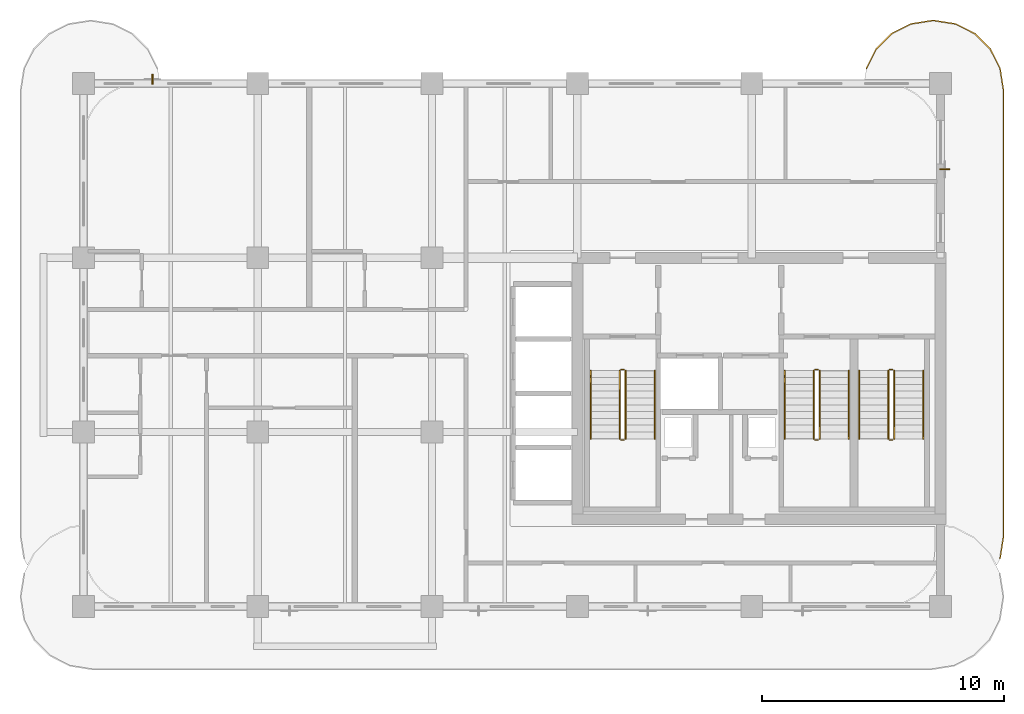
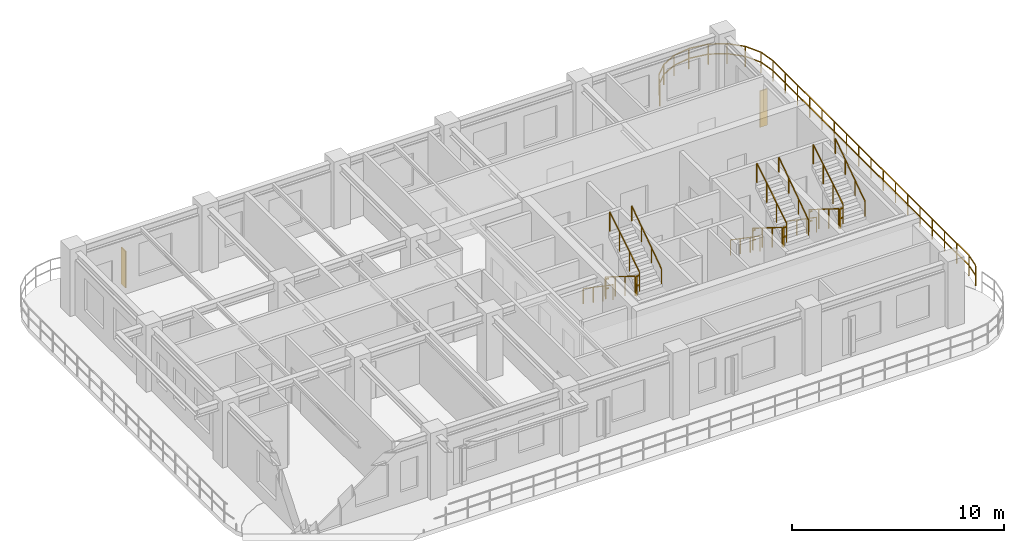
# One storey, part 7 of 7: 19 railings, 2 shading devices.
"""IFC4 building model written with IfcOpenShell, lengths in metres."""

import ifcopenshell
import ifcopenshell.guid

model = None  # the IFC model being written
_history = None  # IfcOwnerHistory: only IFC2X3 demands one
_inside = {}  # id of a spatial element -> (the spatial element, [elements in it])
_under = {}  # id of a project, library or spatial element -> (it, [spatial elements below it])
_declared = {}  # id of a project -> (the project, [libraries it declares])
_typed = {}  # id of a type object -> (the type object, [elements of that type])
_made_of = {}  # id of a material, layer set ... -> (it, [elements and type objects made of it])


def new_model(schema):
    """Start an empty IFC model of exactly this schema.

    Asked for "IFC4X3", IfcOpenShell would pick the latest addendum, in which some entities
    have other attributes; the version numbers below select the first issue.
    IFC2X3 requires an IfcOwnerHistory on every rooted entity: one is made here for all.
    """
    global model, _history
    if schema == "IFC4X3":
        model = ifcopenshell.file(schema_version=(4, 3, 0, 0))
    else:
        model = ifcopenshell.file(schema=schema)
    _inside.clear()
    _under.clear()
    _declared.clear()
    _typed.clear()
    _made_of.clear()
    _history = None
    if model.schema == "IFC2X3":
        org = make("IfcOrganization", Name="unknown")
        user = make(
            "IfcPersonAndOrganization",
            ThePerson=make("IfcPerson", FamilyName="unknown"),
            TheOrganization=org,
        )
        app = make(
            "IfcApplication",
            ApplicationDeveloper=org,
            Version="unknown",
            ApplicationFullName="unknown",
            ApplicationIdentifier="unknown",
        )
        _history = make(
            "IfcOwnerHistory",
            OwningUser=user,
            OwningApplication=app,
            ChangeAction="ADDED",
            CreationDate=0,
        )
    return model


def make(cls, **values):
    """One entity of the class cls with the attributes given. An attribute that is None is left unset."""
    return model.create_entity(
        cls, **{name: value for name, value in values.items() if value is not None}
    )


def rooted(cls, **values):
    """An entity with a GlobalId (a new one), such as an element, a storey or a relation."""
    return make(cls, GlobalId=ifcopenshell.guid.new(), OwnerHistory=_history, **values)


def si_unit(unit_type, name, prefix=None):
    """IfcSIUnit, for example si_unit("LENGTHUNIT", "METRE", prefix="MILLI")."""
    return make("IfcSIUnit", UnitType=unit_type, Prefix=prefix, Name=name)


def derived_unit(unit_type, elements):
    """IfcDerivedUnit: a product of units, each with its exponent."""
    return make(
        "IfcDerivedUnit",
        Elements=[
            make("IfcDerivedUnitElement", Unit=unit, Exponent=power)
            for unit, power in elements
        ],
        UnitType=unit_type,
    )


def assignment(units):
    """IfcUnitAssignment: the units of a project."""
    return None if units is None else make("IfcUnitAssignment", Units=units)


def point(xyz):
    """IfcCartesianPoint."""
    return None if xyz is None else make("IfcCartesianPoint", Coordinates=xyz)


def direction(xyz):
    """IfcDirection."""
    return None if xyz is None else make("IfcDirection", DirectionRatios=xyz)


def frame(location, z_axis=None, x_axis=None):
    """IfcAxis2Placement3D, a coordinate frame: its origin and axes. An axis left out is left unset."""
    return make(
        "IfcAxis2Placement3D",
        Location=point(location),
        Axis=direction(z_axis),
        RefDirection=direction(x_axis),
    )


def frame_2d(location, x_axis=None):
    """IfcAxis2Placement2D, a coordinate frame in the plane: its origin and x axis."""
    return make(
        "IfcAxis2Placement2D", Location=point(location), RefDirection=direction(x_axis)
    )


def origin():
    """The frame at (0, 0, 0) with its axes left unset."""
    return frame((0.0, 0.0, 0.0))


def origin_2d():
    """The frame at (0, 0) in the plane with its x axis left unset."""
    return frame_2d((0.0, 0.0))


def place(relative_to, where):
    """IfcLocalPlacement: puts the frame where relative to a parent placement (None: the world)."""
    return make(
        "IfcLocalPlacement", PlacementRelTo=relative_to, RelativePlacement=where
    )


def context(
    kind, dimensions, precision=None, world=None, true_north=None, identifier=None
):
    """IfcGeometricRepresentationContext, for example the 3D "Model" context."""
    return make(
        "IfcGeometricRepresentationContext",
        ContextIdentifier=identifier,
        ContextType=kind,
        CoordinateSpaceDimension=dimensions,
        Precision=precision,
        WorldCoordinateSystem=world,
        TrueNorth=true_north,
    )


def subcontext(parent, identifier, kind, view, scale=None):
    """IfcGeometricRepresentationSubContext, for example "Body" below "Model"."""
    return make(
        "IfcGeometricRepresentationSubContext",
        ContextIdentifier=identifier,
        ContextType=kind,
        ParentContext=parent,
        TargetScale=scale,
        TargetView=view,
    )


def project(units=None, contexts=None):
    """IfcProject with its units and contexts."""
    return rooted(
        "IfcProject",
        Name="project",
        RepresentationContexts=contexts,
        UnitsInContext=assignment(units),
    )


def spatial(cls, under=None, at=None, **own):
    """A site, building, storey or space (cls), placed at a placement, below another one or the project."""
    s = rooted(cls, ObjectPlacement=at, **own)
    if under is not None:
        _under.setdefault(under.id(), (under, []))[1].append(s)
    return s


def profile(cls, at=None, kind="AREA", **sizes):
    """A parametric profile (cls). Its sizes go by their IFC names, for example OverallWidth=200.0."""
    return make(cls, ProfileType=kind, Position=at, **sizes)


def rectangle(**sizes):
    """IfcRectangleProfileDef."""
    return profile("IfcRectangleProfileDef", **sizes)


def extrude(swept, where, along, depth):
    """IfcExtrudedAreaSolid: the profile swept, set in the frame where, extruded along a direction by depth."""
    return make(
        "IfcExtrudedAreaSolid",
        SweptArea=swept,
        Position=where,
        ExtrudedDirection=direction(along),
        Depth=depth,
    )


def shape(context_of_items, identifier, shape_type, items):
    """IfcShapeRepresentation: the items that make up one representation, for example the "Body"."""
    return make(
        "IfcShapeRepresentation",
        ContextOfItems=context_of_items,
        RepresentationIdentifier=identifier,
        RepresentationType=shape_type,
        Items=items,
    )


def source(mapping_origin, context_of_items, identifier, shape_type, items):
    """IfcRepresentationMap: a shape defined once, which mapped items show again and again."""
    return make(
        "IfcRepresentationMap",
        MappingOrigin=mapping_origin,
        MappedRepresentation=shape(context_of_items, identifier, shape_type, items),
    )


def transform(
    local_origin,
    x_axis=None,
    y_axis=None,
    z_axis=None,
    scale=None,
    scale2=None,
    scale3=None,
    uniform=True,
):
    """IfcCartesianTransformationOperator3D, or its non-uniform kind. x_axis, y_axis, z_axis: its Axis1, 2, 3."""
    if uniform:
        return make(
            "IfcCartesianTransformationOperator3D",
            Axis1=direction(x_axis),
            Axis2=direction(y_axis),
            LocalOrigin=point(local_origin),
            Scale=scale,
            Axis3=direction(z_axis),
        )
    return make(
        "IfcCartesianTransformationOperator3DnonUniform",
        Axis1=direction(x_axis),
        Axis2=direction(y_axis),
        LocalOrigin=point(local_origin),
        Scale=scale,
        Axis3=direction(z_axis),
        Scale2=scale2,
        Scale3=scale3,
    )


def mapped(mapping_source, mapping_target):
    """IfcMappedItem: shows the shape of a source again, moved by a transform."""
    return make(
        "IfcMappedItem", MappingSource=mapping_source, MappingTarget=mapping_target
    )


def material(Name=None, Category=None):
    """IfcMaterial."""
    return make("IfcMaterial", Name=Name, Category=Category)


def layer(
    of_material, thickness, ventilated=None, Name=None, Category=None, Priority=None
):
    """IfcMaterialLayer: one layer of a wall or slab, of a material (None: an air gap)."""
    return make(
        "IfcMaterialLayer",
        Material=of_material,
        LayerThickness=thickness,
        IsVentilated=ventilated,
        Name=Name,
        Category=Category,
        Priority=Priority,
    )


def layer_set(layers, Name=None):
    """IfcMaterialLayerSet."""
    return make("IfcMaterialLayerSet", MaterialLayers=layers, LayerSetName=Name)


def made_of(thing, what):
    """Note that an element or type object is made of a material, layer set ...; save() writes the relation."""
    if what is not None:
        _made_of.setdefault(what.id(), (what, []))[1].append(thing)
    return thing


def type_object(cls, material=None, **own):
    """A type object (cls), such as IfcWallType, which elements share."""
    return made_of(rooted(cls, **own), material)


def type_shapes(of_type, sources):
    """Give a type object the sources (RepresentationMaps) that its elements show as mapped items."""
    of_type.RepresentationMaps = sources


def element(
    cls,
    number,
    at=None,
    inside=None,
    cuts=None,
    type_object=None,
    material=None,
    context=None,
    identifier="Body",
    shape_type=None,
    held_by="IfcProductDefinitionShape",
    body=None,
    shapes=None,
    **own,
):
    """One element of the class cls, such as IfcWall. Its Tag is "e" and its number.

    at: its placement. inside: the storey or other place that contains it. cuts: it is an
    opening in that element (IfcRelVoidsElement). A single representation is given by context,
    identifier, shape_type and body (its items); several are given by shapes. held_by: the class
    of the entity that holds the representations. save() writes the other relations.
    """
    e = rooted(cls, Tag="e%d" % number, ObjectPlacement=at, **own)
    if body is not None:
        shapes = [shape(context, identifier, shape_type, body)]
    if shapes is not None:
        e.Representation = make(held_by, Representations=shapes)
    if inside is not None:
        _inside.setdefault(inside.id(), (inside, []))[1].append(e)
    if cuts is not None:
        rooted(
            "IfcRelVoidsElement", RelatingBuildingElement=cuts, RelatedOpeningElement=e
        )
    if type_object is not None:
        _typed.setdefault(type_object.id(), (type_object, []))[1].append(e)
    return made_of(e, material)


def aggregate(whole, parts):
    """IfcRelAggregates: a whole, such as a stair, and the parts it consists of."""
    return rooted("IfcRelAggregates", RelatingObject=whole, RelatedObjects=parts)


def save(model, path):
    """Write the relations noted so far, then the file.

    IfcRelAggregates (storeys below a building ...), IfcRelContainedInSpatialStructure (elements
    in a storey), IfcRelDefinesByType, IfcRelAssociatesMaterial and IfcRelDeclares: one each for
    every whole, place, type object, material and project.
    """
    for whole, parts in _under.values():
        aggregate(whole, parts)
    for where, things in _inside.values():
        rooted(
            "IfcRelContainedInSpatialStructure",
            RelatedElements=things,
            RelatingStructure=where,
        )
    for kind, things in _typed.values():
        rooted("IfcRelDefinesByType", RelatedObjects=things, RelatingType=kind)
    for what, things in _made_of.values():
        rooted("IfcRelAssociatesMaterial", RelatedObjects=things, RelatingMaterial=what)
    for by, libraries in _declared.values():
        rooted("IfcRelDeclares", RelatingContext=by, RelatedDefinitions=libraries)
    model.write(path)


model = new_model("IFC4")

# Units and contexts
model_context = context("Model", 3, precision=1e-05, world=origin(), true_north=direction((0.0, 1.0)))
body_context = subcontext(model_context, "Body", "Model", "MODEL_VIEW")
ifc_project = project(units=[si_unit("LENGTHUNIT", "METRE"), si_unit("AREAUNIT", "SQUARE_METRE"), si_unit("VOLUMEUNIT", "CUBIC_METRE"), si_unit("PLANEANGLEUNIT", "RADIAN"), si_unit("MASSUNIT", "GRAM", prefix="KILO"), si_unit("THERMODYNAMICTEMPERATUREUNIT", "KELVIN"), si_unit("POWERUNIT", "WATT"), derived_unit("THERMALTRANSMITTANCEUNIT", [(si_unit("POWERUNIT", "WATT"), 1), (si_unit("AREAUNIT", "SQUARE_METRE"), -1), (si_unit("THERMODYNAMICTEMPERATUREUNIT", "KELVIN"), -1)])], contexts=[model_context])

# Site, building, storey
site_placement = place(None, origin())
site = spatial("IfcSite", under=ifc_project, at=site_placement, CompositionType="ELEMENT")
building_placement = place(site_placement, origin())
building = spatial("IfcBuilding", under=site, at=building_placement, Name="Zahravan Archway Hotel and Residences", CompositionType="ELEMENT")
storey_placement = place(building_placement, frame((0.0, 0.0, 240.39990234375)))
storey = spatial("IfcBuildingStorey", under=building, at=storey_placement, Name="L60", CompositionType="ELEMENT", Elevation=240.39990234375)

# Railings
ifc_material_1 = material(Name="Bronze & Laminated Glass Balustrade", Category="glass")
railing_type_1 = type_object("IfcRailingType", Name="RL-BAL-1200", PredefinedType="BALUSTRADE", material=ifc_material_1)
railing_1_placement = place(storey_placement, frame((46.739501953125, 22.230712890625, 0.0)))
element("IfcRailing", 1, at=railing_1_placement, inside=storey, type_object=railing_type_1, Name="L60 Balustrade RL-SLB-BAL-L60-EA-1", PredefinedType="BALUSTRADE", context=body_context, shape_type="SweptSolid", body=[
    extrude(rectangle(XDim=0.048095703125, YDim=0.048095703125, at=origin_2d()), frame((0.0, 0.0, 1.17578125), z_axis=(0.453991409995, 0.891006060389, 0.0), x_axis=(-0.891006060389, 0.453991409995, 0.0)), (0.0, 0.0, 1.0), 0.8916015625),
    extrude(rectangle(XDim=0.048095703125, YDim=0.048095703125, at=origin_2d()), frame((0.0, 0.0, 0.60009765625), z_axis=(0.453991409995, 0.891006060389, 0.0), x_axis=(-0.891006060389, 0.453991409995, 0.0)), (0.0, 0.0, 1.0), 0.8916015625),
    extrude(rectangle(XDim=0.048095703125, YDim=0.048095703125, at=origin_2d()), frame((0.40478515625, 0.79443359375, 1.17578125), z_axis=(0.707106781187, 0.707106781187, 0.0), x_axis=(-0.707106781187, 0.707106781187, 0.0)), (0.0, 0.0, 1.0), 0.891845703125),
    extrude(rectangle(XDim=0.048095703125, YDim=0.048095703125, at=origin_2d()), frame((0.40478515625, 0.79443359375, 0.60009765625), z_axis=(0.707106781187, 0.707106781187, 0.0), x_axis=(-0.707106781187, 0.707106781187, 0.0)), (0.0, 0.0, 1.0), 0.891845703125),
    extrude(rectangle(XDim=0.048095703125, YDim=0.048095703125, at=origin_2d()), frame((1.035400390625, 1.425048828125, 1.17578125), z_axis=(0.891006060389, 0.453991409995, 0.0), x_axis=(-0.453991409995, 0.891006060389, 0.0)), (0.0, 0.0, 1.0), 0.8916015625),
    extrude(rectangle(XDim=0.048095703125, YDim=0.048095703125, at=origin_2d()), frame((1.035400390625, 1.425048828125, 0.60009765625), z_axis=(0.891006060389, 0.453991409995, 0.0), x_axis=(-0.453991409995, 0.891006060389, 0.0)), (0.0, 0.0, 1.0), 0.8916015625),
    extrude(rectangle(XDim=0.048095703125, YDim=0.048095703125, at=origin_2d()), frame((1.829833984375, 1.829833984375, 1.17578125), z_axis=(0.987700720307, 0.156356282588, 0.0), x_axis=(-0.156356282588, 0.987700720307, 0.0)), (0.0, 0.0, 1.0), 0.8916015625),
    extrude(rectangle(XDim=0.048095703125, YDim=0.048095703125, at=origin_2d()), frame((1.829833984375, 1.829833984375, 0.60009765625), z_axis=(0.987700720307, 0.156356282588, 0.0), x_axis=(-0.156356282588, 0.987700720307, 0.0)), (0.0, 0.0, 1.0), 0.8916015625),
    extrude(rectangle(XDim=0.048095703125, YDim=0.048095703125, at=origin_2d()), frame((2.71044921875, 1.96923828125, 1.17578125), z_axis=(1.0, 0.0, 0.0), x_axis=(0.0, 1.0, 0.0)), (0.0, 0.0, 1.0), 0.10009765625),
    extrude(rectangle(XDim=0.048095703125, YDim=0.048095703125, at=origin_2d()), frame((2.71044921875, 1.96923828125, 0.60009765625), z_axis=(1.0, 0.0, 0.0), x_axis=(0.0, 1.0, 0.0)), (0.0, 0.0, 1.0), 0.10009765625),
    extrude(rectangle(XDim=0.048095703125, YDim=0.048095703125, at=origin_2d()), frame((2.810546875, 1.96923828125, 1.17578125), z_axis=(0.987700720307, -0.156356282588, 0.0), x_axis=(0.156356282588, 0.987700720307, 0.0)), (0.0, 0.0, 1.0), 0.8916015625),
    extrude(rectangle(XDim=0.048095703125, YDim=0.048095703125, at=origin_2d()), frame((2.810546875, 1.96923828125, 0.60009765625), z_axis=(0.987700720307, -0.156356282588, 0.0), x_axis=(0.156356282588, 0.987700720307, 0.0)), (0.0, 0.0, 1.0), 0.8916015625),
    extrude(rectangle(XDim=0.048095703125, YDim=0.048095703125, at=origin_2d()), frame((3.691162109375, 1.829833984375, 1.17578125), z_axis=(0.891006060389, -0.453991409995, 0.0), x_axis=(0.453991409995, 0.891006060389, 0.0)), (0.0, 0.0, 1.0), 0.8916015625),
    extrude(rectangle(XDim=0.048095703125, YDim=0.048095703125, at=origin_2d()), frame((3.691162109375, 1.829833984375, 0.60009765625), z_axis=(0.891006060389, -0.453991409995, 0.0), x_axis=(0.453991409995, 0.891006060389, 0.0)), (0.0, 0.0, 1.0), 0.8916015625),
    extrude(rectangle(XDim=0.048095703125, YDim=0.048095703125, at=origin_2d()), frame((4.485595703125, 1.425048828125, 1.17578125), z_axis=(0.707106781187, -0.707106781187, 0.0), x_axis=(0.707106781187, 0.707106781187, 0.0)), (0.0, 0.0, 1.0), 0.891845703125),
    extrude(rectangle(XDim=0.048095703125, YDim=0.048095703125, at=origin_2d()), frame((4.485595703125, 1.425048828125, 0.60009765625), z_axis=(0.707106781187, -0.707106781187, 0.0), x_axis=(0.707106781187, 0.707106781187, 0.0)), (0.0, 0.0, 1.0), 0.891845703125),
    extrude(rectangle(XDim=0.048095703125, YDim=0.048095703125, at=origin_2d()), frame((5.1162109375, 0.79443359375, 1.17578125), z_axis=(0.453991409995, -0.891006060389, 0.0), x_axis=(0.891006060389, 0.453991409995, 0.0)), (0.0, 0.0, 1.0), 0.8916015625),
    extrude(rectangle(XDim=0.048095703125, YDim=0.048095703125, at=origin_2d()), frame((5.1162109375, 0.79443359375, 0.60009765625), z_axis=(0.453991409995, -0.891006060389, 0.0), x_axis=(0.891006060389, 0.453991409995, 0.0)), (0.0, 0.0, 1.0), 0.8916015625),
    extrude(rectangle(XDim=0.048095703125, YDim=0.048095703125, at=origin_2d()), frame((5.52099609375, 0.0, 1.17578125), z_axis=(0.156356282588, -0.987700720307, 0.0), x_axis=(0.987700720307, 0.156356282588, 0.0)), (0.0, 0.0, 1.0), 0.8916015625),
    extrude(rectangle(XDim=0.048095703125, YDim=0.048095703125, at=origin_2d()), frame((5.52099609375, 0.0, 0.60009765625), z_axis=(0.156356282588, -0.987700720307, 0.0), x_axis=(0.987700720307, 0.156356282588, 0.0)), (0.0, 0.0, 1.0), 0.8916015625),
    extrude(rectangle(XDim=0.048095703125, YDim=0.048095703125, at=origin_2d()), frame((5.660400390625, -0.880615234375, 1.17578125), z_axis=(0.0, -1.0, 0.0), x_axis=(1.0, 0.0, 0.0)), (0.0, 0.0, 1.0), 18.5),
    extrude(rectangle(XDim=0.048095703125, YDim=0.048095703125, at=origin_2d()), frame((5.660400390625, -0.880615234375, 0.60009765625), z_axis=(0.0, -1.0, 0.0), x_axis=(1.0, 0.0, 0.0)), (0.0, 0.0, 1.0), 18.5),
    extrude(rectangle(XDim=0.048095703125, YDim=0.048095703125, at=origin_2d()), frame((5.660400390625, -19.380615234375, 1.17578125), z_axis=(-0.156314005608, -0.987707411965, 0.0), x_axis=(0.987707411965, -0.156314005608, 0.0)), (0.0, 0.0, 1.0), 0.891845703125),
    extrude(rectangle(XDim=0.048095703125, YDim=0.048095703125, at=origin_2d()), frame((5.660400390625, -19.380615234375, 0.60009765625), z_axis=(-0.156314005608, -0.987707411965, 0.0), x_axis=(0.987707411965, -0.156314005608, 0.0)), (0.0, 0.0, 1.0), 0.891845703125),
    extrude(rectangle(XDim=0.0419921875, YDim=0.0419921875, at=origin_2d()), origin(), (0.0, 0.0, 1.0), 1.15185546875),
    extrude(rectangle(XDim=0.0419921875, YDim=0.0419921875, at=origin_2d()), frame((0.40478515625, 0.79443359375, 0.0)), (0.0, 0.0, 1.0), 1.15185546875),
    extrude(rectangle(XDim=0.0419921875, YDim=0.0419921875, at=origin_2d()), frame((1.035400390625, 1.425048828125, 0.0)), (0.0, 0.0, 1.0), 1.15185546875),
    extrude(rectangle(XDim=0.0419921875, YDim=0.0419921875, at=origin_2d()), frame((1.829833984375, 1.829833984375, 0.0)), (0.0, 0.0, 1.0), 1.15185546875),
    extrude(rectangle(XDim=0.0419921875, YDim=0.0419921875, at=origin_2d()), frame((2.71044921875, 1.96923828125, 0.0)), (0.0, 0.0, 1.0), 1.15185546875),
    extrude(rectangle(XDim=0.0419921875, YDim=0.0419921875, at=origin_2d()), frame((3.691162109375, 1.829833984375, 0.0)), (0.0, 0.0, 1.0), 1.15185546875),
    extrude(rectangle(XDim=0.0419921875, YDim=0.0419921875, at=origin_2d()), frame((4.485595703125, 1.425048828125, 0.0)), (0.0, 0.0, 1.0), 1.15185546875),
    extrude(rectangle(XDim=0.0419921875, YDim=0.0419921875, at=origin_2d()), frame((5.1162109375, 0.79443359375, 0.0)), (0.0, 0.0, 1.0), 1.15185546875),
    extrude(rectangle(XDim=0.0419921875, YDim=0.0419921875, at=origin_2d()), frame((5.52099609375, 0.0, 0.0)), (0.0, 0.0, 1.0), 1.15185546875),
    extrude(rectangle(XDim=0.0419921875, YDim=0.0419921875, at=origin_2d()), frame((5.660400390625, -0.880615234375, 0.0)), (0.0, 0.0, 1.0), 1.15185546875),
    extrude(rectangle(XDim=0.0419921875, YDim=0.0419921875, at=origin_2d()), frame((5.660400390625, -2.036865234375, 0.0)), (0.0, 0.0, 1.0), 1.15185546875),
    extrude(rectangle(XDim=0.0419921875, YDim=0.0419921875, at=origin_2d()), frame((5.660400390625, -3.193115234375, 0.0)), (0.0, 0.0, 1.0), 1.15185546875),
    extrude(rectangle(XDim=0.0419921875, YDim=0.0419921875, at=origin_2d()), frame((5.660400390625, -4.349365234375, 0.0)), (0.0, 0.0, 1.0), 1.15185546875),
    extrude(rectangle(XDim=0.0419921875, YDim=0.0419921875, at=origin_2d()), frame((5.660400390625, -5.505615234375, 0.0)), (0.0, 0.0, 1.0), 1.15185546875),
    extrude(rectangle(XDim=0.0419921875, YDim=0.0419921875, at=origin_2d()), frame((5.660400390625, -6.661865234375, 0.0)), (0.0, 0.0, 1.0), 1.15185546875),
    extrude(rectangle(XDim=0.0419921875, YDim=0.0419921875, at=origin_2d()), frame((5.660400390625, -7.818115234375, 0.0)), (0.0, 0.0, 1.0), 1.15185546875),
    extrude(rectangle(XDim=0.0419921875, YDim=0.0419921875, at=origin_2d()), frame((5.660400390625, -8.974365234375, 0.0)), (0.0, 0.0, 1.0), 1.15185546875),
    extrude(rectangle(XDim=0.0419921875, YDim=0.0419921875, at=origin_2d()), frame((5.660400390625, -10.130615234375, 0.0)), (0.0, 0.0, 1.0), 1.15185546875),
    extrude(rectangle(XDim=0.0419921875, YDim=0.0419921875, at=origin_2d()), frame((5.660400390625, -11.286865234375, 0.0)), (0.0, 0.0, 1.0), 1.15185546875),
    extrude(rectangle(XDim=0.0419921875, YDim=0.0419921875, at=origin_2d()), frame((5.660400390625, -12.443115234375, 0.0)), (0.0, 0.0, 1.0), 1.15185546875),
    extrude(rectangle(XDim=0.0419921875, YDim=0.0419921875, at=origin_2d()), frame((5.660400390625, -13.599365234375, 0.0)), (0.0, 0.0, 1.0), 1.15185546875),
    extrude(rectangle(XDim=0.0419921875, YDim=0.0419921875, at=origin_2d()), frame((5.660400390625, -14.755615234375, 0.0)), (0.0, 0.0, 1.0), 1.15185546875),
    extrude(rectangle(XDim=0.0419921875, YDim=0.0419921875, at=origin_2d()), frame((5.660400390625, -15.911865234375, 0.0)), (0.0, 0.0, 1.0), 1.15185546875),
    extrude(rectangle(XDim=0.0419921875, YDim=0.0419921875, at=origin_2d()), frame((5.660400390625, -17.068115234375, 0.0)), (0.0, 0.0, 1.0), 1.15185546875),
    extrude(rectangle(XDim=0.0419921875, YDim=0.0419921875, at=origin_2d()), frame((5.660400390625, -18.224365234375, 0.0)), (0.0, 0.0, 1.0), 1.15185546875),
    extrude(rectangle(XDim=0.0419921875, YDim=0.0419921875, at=origin_2d()), frame((5.660400390625, -19.380615234375, 0.0)), (0.0, 0.0, 1.0), 1.15185546875),
    extrude(rectangle(XDim=0.0419921875, YDim=0.0419921875, at=origin_2d()), frame((5.52099609375, -20.261474609375, 0.0)), (0.0, 0.0, 1.0), 1.15185546875),
])
ifc_material_2 = material(Name="Painted Tubular Steel", Category="steel")
railing_type_2 = type_object("IfcRailingType", Name="RL-STG-1150", PredefinedType="GUARDRAIL", material=ifc_material_2)
railing_2_placement = place(storey_placement, frame((36.550048828125, 9.72998046875, 0.175048828125)))
element("IfcRailing", 2, at=railing_2_placement, inside=storey, type_object=railing_type_2, Name="L60 ST-A1 stair guard 1", PredefinedType="GUARDRAIL", context=body_context, shape_type="SweptSolid", body=[
    extrude(rectangle(XDim=0.048095703125, YDim=0.048095703125, at=origin_2d()), frame((0.0, 0.0, 1.1259765625), z_axis=(0.0, -0.848002457836, 0.529992293815), x_axis=(1.0, 0.0, 0.0)), (0.0, 0.0, 1.0), 3.302001953125),
    extrude(rectangle(XDim=0.0419921875, YDim=0.0419921875, at=origin_2d()), origin(), (0.0, 0.0, 1.0), 1.101806640625),
    extrude(rectangle(XDim=0.0419921875, YDim=0.0419921875, at=origin_2d()), frame((0.0, -0.933349609375, 0.583251953125)), (0.0, 0.0, 1.0), 1.101806640625),
    extrude(rectangle(XDim=0.0419921875, YDim=0.0419921875, at=origin_2d()), frame((0.0, -1.86669921875, 1.166748046875)), (0.0, 0.0, 1.0), 1.101806640625),
    extrude(rectangle(XDim=0.0419921875, YDim=0.0419921875, at=origin_2d()), frame((0.0, -2.800048828125, 1.75)), (0.0, 0.0, 1.0), 1.101806640625),
])
railing_3_placement = place(storey_placement, frame((36.60009765625, 6.8798828125, 1.925048828125)))
element("IfcRailing", 3, at=railing_3_placement, inside=storey, type_object=railing_type_2, Name="L60 ST-A1 stair guard 2", PredefinedType="GUARDRAIL", context=body_context, shape_type="SweptSolid", body=[
    extrude(rectangle(XDim=0.048095703125, YDim=0.048095703125, at=origin_2d()), frame((0.0, 0.0, 1.1259765625), z_axis=(1.0, 0.0, 0.0), x_axis=(0.0, 1.0, 0.0)), (0.0, 0.0, 1.0), 0.139892578125),
    extrude(rectangle(XDim=0.048095703125, YDim=0.048095703125, at=origin_2d()), frame((0.0, 0.0, 0.574951171875), z_axis=(1.0, 0.0, 0.0), x_axis=(0.0, 1.0, 0.0)), (0.0, 0.0, 1.0), 0.139892578125),
    extrude(rectangle(XDim=0.0419921875, YDim=0.0419921875, at=origin_2d()), origin(), (0.0, 0.0, 1.0), 1.101806640625),
])
railing_4_placement = place(storey_placement, frame((36.7900390625, 6.929931640625, 2.10009765625)))
element("IfcRailing", 4, at=railing_4_placement, inside=storey, type_object=railing_type_2, Name="L60 ST-A1 stair guard 3", PredefinedType="GUARDRAIL", context=body_context, shape_type="SweptSolid", body=[
    extrude(rectangle(XDim=0.048095703125, YDim=0.048095703125, at=origin_2d()), frame((0.0, 0.0, 1.1259765625), z_axis=(0.0, 0.848002457836, 0.529992293815), x_axis=(-1.0, 0.0, 0.0)), (0.0, 0.0, 1.0), 3.302001953125),
    extrude(rectangle(XDim=0.0419921875, YDim=0.0419921875, at=origin_2d()), origin(), (0.0, 0.0, 1.0), 1.101806640625),
    extrude(rectangle(XDim=0.0419921875, YDim=0.0419921875, at=origin_2d()), frame((0.0, 0.933349609375, 0.583251953125)), (0.0, 0.0, 1.0), 1.101806640625),
    extrude(rectangle(XDim=0.0419921875, YDim=0.0419921875, at=origin_2d()), frame((0.0, 1.86669921875, 1.166748046875)), (0.0, 0.0, 1.0), 1.101806640625),
    extrude(rectangle(XDim=0.0419921875, YDim=0.0419921875, at=origin_2d()), frame((0.0, 2.800048828125, 1.75)), (0.0, 0.0, 1.0), 1.101806640625),
])
railing_5_placement = place(storey_placement, frame((36.60009765625, 9.780029296875, 0.0)))
element("IfcRailing", 5, at=railing_5_placement, inside=storey, type_object=railing_type_2, Name="L60 ST-A1 stair guard 4", PredefinedType="GUARDRAIL", context=body_context, shape_type="SweptSolid", body=[
    extrude(rectangle(XDim=0.048095703125, YDim=0.048095703125, at=origin_2d()), frame((0.0, 0.0, 1.1259765625), z_axis=(1.0, 0.0, 0.0), x_axis=(0.0, 1.0, 0.0)), (0.0, 0.0, 1.0), 0.139892578125),
    extrude(rectangle(XDim=0.048095703125, YDim=0.048095703125, at=origin_2d()), frame((0.0, 0.0, 0.574951171875), z_axis=(1.0, 0.0, 0.0), x_axis=(0.0, 1.0, 0.0)), (0.0, 0.0, 1.0), 0.139892578125),
    extrude(rectangle(XDim=0.0419921875, YDim=0.0419921875, at=origin_2d()), origin(), (0.0, 0.0, 1.0), 1.101806640625),
])
railing_6_placement = place(storey_placement, frame((44.570068359375, 9.72998046875, 0.175048828125)))
element("IfcRailing", 6, at=railing_6_placement, inside=storey, type_object=railing_type_2, Name="L60 ST-A2 stair guard 1", PredefinedType="GUARDRAIL", context=body_context, shape_type="SweptSolid", body=[
    extrude(rectangle(XDim=0.048095703125, YDim=0.048095703125, at=origin_2d()), frame((0.0, 0.0, 1.1259765625), z_axis=(0.0, -0.848002457836, 0.529992293815), x_axis=(1.0, 0.0, 0.0)), (0.0, 0.0, 1.0), 3.302001953125),
    extrude(rectangle(XDim=0.0419921875, YDim=0.0419921875, at=origin_2d()), origin(), (0.0, 0.0, 1.0), 1.101806640625),
    extrude(rectangle(XDim=0.0419921875, YDim=0.0419921875, at=origin_2d()), frame((0.0, -0.933349609375, 0.583251953125)), (0.0, 0.0, 1.0), 1.101806640625),
    extrude(rectangle(XDim=0.0419921875, YDim=0.0419921875, at=origin_2d()), frame((0.0, -1.86669921875, 1.166748046875)), (0.0, 0.0, 1.0), 1.101806640625),
    extrude(rectangle(XDim=0.0419921875, YDim=0.0419921875, at=origin_2d()), frame((0.0, -2.800048828125, 1.75)), (0.0, 0.0, 1.0), 1.101806640625),
])
railing_7_placement = place(storey_placement, frame((44.6201171875, 6.8798828125, 1.925048828125)))
element("IfcRailing", 7, at=railing_7_placement, inside=storey, type_object=railing_type_2, Name="L60 ST-A2 stair guard 2", PredefinedType="GUARDRAIL", context=body_context, shape_type="SweptSolid", body=[
    extrude(rectangle(XDim=0.048095703125, YDim=0.048095703125, at=origin_2d()), frame((0.0, 0.0, 1.1259765625), z_axis=(1.0, 0.0, 0.0), x_axis=(0.0, 1.0, 0.0)), (0.0, 0.0, 1.0), 0.139892578125),
    extrude(rectangle(XDim=0.048095703125, YDim=0.048095703125, at=origin_2d()), frame((0.0, 0.0, 0.574951171875), z_axis=(1.0, 0.0, 0.0), x_axis=(0.0, 1.0, 0.0)), (0.0, 0.0, 1.0), 0.139892578125),
    extrude(rectangle(XDim=0.0419921875, YDim=0.0419921875, at=origin_2d()), origin(), (0.0, 0.0, 1.0), 1.101806640625),
])
railing_8_placement = place(storey_placement, frame((44.81005859375, 6.929931640625, 2.10009765625)))
element("IfcRailing", 8, at=railing_8_placement, inside=storey, type_object=railing_type_2, Name="L60 ST-A2 stair guard 3", PredefinedType="GUARDRAIL", context=body_context, shape_type="SweptSolid", body=[
    extrude(rectangle(XDim=0.048095703125, YDim=0.048095703125, at=origin_2d()), frame((0.0, 0.0, 1.1259765625), z_axis=(0.0, 0.848002457836, 0.529992293815), x_axis=(-1.0, 0.0, 0.0)), (0.0, 0.0, 1.0), 3.302001953125),
    extrude(rectangle(XDim=0.0419921875, YDim=0.0419921875, at=origin_2d()), origin(), (0.0, 0.0, 1.0), 1.101806640625),
    extrude(rectangle(XDim=0.0419921875, YDim=0.0419921875, at=origin_2d()), frame((0.0, 0.933349609375, 0.583251953125)), (0.0, 0.0, 1.0), 1.101806640625),
    extrude(rectangle(XDim=0.0419921875, YDim=0.0419921875, at=origin_2d()), frame((0.0, 1.86669921875, 1.166748046875)), (0.0, 0.0, 1.0), 1.101806640625),
    extrude(rectangle(XDim=0.0419921875, YDim=0.0419921875, at=origin_2d()), frame((0.0, 2.800048828125, 1.75)), (0.0, 0.0, 1.0), 1.101806640625),
])
railing_9_placement = place(storey_placement, frame((44.6201171875, 9.780029296875, 0.0)))
element("IfcRailing", 9, at=railing_9_placement, inside=storey, type_object=railing_type_2, Name="L60 ST-A2 stair guard 4", PredefinedType="GUARDRAIL", context=body_context, shape_type="SweptSolid", body=[
    extrude(rectangle(XDim=0.048095703125, YDim=0.048095703125, at=origin_2d()), frame((0.0, 0.0, 1.1259765625), z_axis=(1.0, 0.0, 0.0), x_axis=(0.0, 1.0, 0.0)), (0.0, 0.0, 1.0), 0.139892578125),
    extrude(rectangle(XDim=0.048095703125, YDim=0.048095703125, at=origin_2d()), frame((0.0, 0.0, 0.574951171875), z_axis=(1.0, 0.0, 0.0), x_axis=(0.0, 1.0, 0.0)), (0.0, 0.0, 1.0), 0.139892578125),
    extrude(rectangle(XDim=0.0419921875, YDim=0.0419921875, at=origin_2d()), origin(), (0.0, 0.0, 1.0), 1.101806640625),
])
railing_10_placement = place(storey_placement, frame((47.64990234375, 9.72998046875, 0.175048828125)))
element("IfcRailing", 10, at=railing_10_placement, inside=storey, type_object=railing_type_2, Name="L60 ST-A3 stair guard 1", PredefinedType="GUARDRAIL", context=body_context, shape_type="SweptSolid", body=[
    extrude(rectangle(XDim=0.048095703125, YDim=0.048095703125, at=origin_2d()), frame((0.0, 0.0, 1.1259765625), z_axis=(0.0, -0.848002457836, 0.529992293815), x_axis=(1.0, 0.0, 0.0)), (0.0, 0.0, 1.0), 3.302001953125),
    extrude(rectangle(XDim=0.0419921875, YDim=0.0419921875, at=origin_2d()), origin(), (0.0, 0.0, 1.0), 1.101806640625),
    extrude(rectangle(XDim=0.0419921875, YDim=0.0419921875, at=origin_2d()), frame((0.0, -0.933349609375, 0.583251953125)), (0.0, 0.0, 1.0), 1.101806640625),
    extrude(rectangle(XDim=0.0419921875, YDim=0.0419921875, at=origin_2d()), frame((0.0, -1.86669921875, 1.166748046875)), (0.0, 0.0, 1.0), 1.101806640625),
    extrude(rectangle(XDim=0.0419921875, YDim=0.0419921875, at=origin_2d()), frame((0.0, -2.800048828125, 1.75)), (0.0, 0.0, 1.0), 1.101806640625),
])
railing_11_placement = place(storey_placement, frame((47.699951171875, 6.8798828125, 1.925048828125)))
element("IfcRailing", 11, at=railing_11_placement, inside=storey, type_object=railing_type_2, Name="L60 ST-A3 stair guard 2", PredefinedType="GUARDRAIL", context=body_context, shape_type="SweptSolid", body=[
    extrude(rectangle(XDim=0.048095703125, YDim=0.048095703125, at=origin_2d()), frame((0.0, 0.0, 1.1259765625), z_axis=(1.0, 0.0, 0.0), x_axis=(0.0, 1.0, 0.0)), (0.0, 0.0, 1.0), 0.14013671875),
    extrude(rectangle(XDim=0.048095703125, YDim=0.048095703125, at=origin_2d()), frame((0.0, 0.0, 0.574951171875), z_axis=(1.0, 0.0, 0.0), x_axis=(0.0, 1.0, 0.0)), (0.0, 0.0, 1.0), 0.14013671875),
    extrude(rectangle(XDim=0.0419921875, YDim=0.0419921875, at=origin_2d()), origin(), (0.0, 0.0, 1.0), 1.101806640625),
])
railing_12_placement = place(storey_placement, frame((47.889892578125, 6.929931640625, 2.10009765625)))
element("IfcRailing", 12, at=railing_12_placement, inside=storey, type_object=railing_type_2, Name="L60 ST-A3 stair guard 3", PredefinedType="GUARDRAIL", context=body_context, shape_type="SweptSolid", body=[
    extrude(rectangle(XDim=0.048095703125, YDim=0.048095703125, at=origin_2d()), frame((0.0, 0.0, 1.1259765625), z_axis=(0.0, 0.848002457836, 0.529992293815), x_axis=(-1.0, 0.0, 0.0)), (0.0, 0.0, 1.0), 3.302001953125),
    extrude(rectangle(XDim=0.0419921875, YDim=0.0419921875, at=origin_2d()), origin(), (0.0, 0.0, 1.0), 1.101806640625),
    extrude(rectangle(XDim=0.0419921875, YDim=0.0419921875, at=origin_2d()), frame((0.0, 0.933349609375, 0.583251953125)), (0.0, 0.0, 1.0), 1.101806640625),
    extrude(rectangle(XDim=0.0419921875, YDim=0.0419921875, at=origin_2d()), frame((0.0, 1.86669921875, 1.166748046875)), (0.0, 0.0, 1.0), 1.101806640625),
    extrude(rectangle(XDim=0.0419921875, YDim=0.0419921875, at=origin_2d()), frame((0.0, 2.800048828125, 1.75)), (0.0, 0.0, 1.0), 1.101806640625),
])
railing_13_placement = place(storey_placement, frame((47.699951171875, 9.780029296875, 0.0)))
element("IfcRailing", 13, at=railing_13_placement, inside=storey, type_object=railing_type_2, Name="L60 ST-A3 stair guard 4", PredefinedType="GUARDRAIL", context=body_context, shape_type="SweptSolid", body=[
    extrude(rectangle(XDim=0.048095703125, YDim=0.048095703125, at=origin_2d()), frame((0.0, 0.0, 1.1259765625), z_axis=(1.0, 0.0, 0.0), x_axis=(0.0, 1.0, 0.0)), (0.0, 0.0, 1.0), 0.14013671875),
    extrude(rectangle(XDim=0.048095703125, YDim=0.048095703125, at=origin_2d()), frame((0.0, 0.0, 0.574951171875), z_axis=(1.0, 0.0, 0.0), x_axis=(0.0, 1.0, 0.0)), (0.0, 0.0, 1.0), 0.14013671875),
    extrude(rectangle(XDim=0.0419921875, YDim=0.0419921875, at=origin_2d()), origin(), (0.0, 0.0, 1.0), 1.101806640625),
])
ifc_material_3 = material(Name="Brushed Stainless Steel", Category="steel")
railing_type_3 = type_object("IfcRailingType", Name="RL-STH-900", PredefinedType="HANDRAIL", material=ifc_material_3)
railing_14_placement = place(storey_placement, frame((35.35009765625, 9.72998046875, 0.175048828125)))
element("IfcRailing", 14, at=railing_14_placement, inside=storey, type_object=railing_type_3, Name="L60 ST-A1 stair handrail 1", PredefinedType="HANDRAIL", context=body_context, shape_type="SweptSolid", body=[
    extrude(rectangle(XDim=0.048095703125, YDim=0.048095703125, at=origin_2d()), frame((0.0, 0.0, 0.8759765625), z_axis=(0.0, -0.824039827795, 0.566531872191), x_axis=(1.0, 0.0, 0.0)), (0.0, 0.0, 1.0), 3.39794921875),
    extrude(rectangle(XDim=0.0419921875, YDim=0.0419921875, at=origin_2d()), origin(), (0.0, 0.0, 1.0), 0.851806640625),
    extrude(rectangle(XDim=0.0419921875, YDim=0.0419921875, at=origin_2d()), frame((0.0, -0.933349609375, 0.6416015625)), (0.0, 0.0, 1.0), 0.851806640625),
    extrude(rectangle(XDim=0.0419921875, YDim=0.0419921875, at=origin_2d()), frame((0.0, -1.86669921875, 1.283447265625)), (0.0, 0.0, 1.0), 0.851806640625),
    extrude(rectangle(XDim=0.0419921875, YDim=0.0419921875, at=origin_2d()), frame((0.0, -2.800048828125, 1.925048828125)), (0.0, 0.0, 1.0), 0.851806640625),
])
railing_15_placement = place(storey_placement, frame((37.989990234375, 6.929931640625, 2.10009765625)))
element("IfcRailing", 15, at=railing_15_placement, inside=storey, type_object=railing_type_3, Name="L60 ST-A1 stair handrail 2", PredefinedType="HANDRAIL", context=body_context, shape_type="SweptSolid", body=[
    extrude(rectangle(XDim=0.048095703125, YDim=0.048095703125, at=origin_2d()), frame((0.0, 0.0, 0.8759765625), z_axis=(0.0, 0.824039827795, 0.566531872191), x_axis=(-1.0, 0.0, 0.0)), (0.0, 0.0, 1.0), 3.39794921875),
    extrude(rectangle(XDim=0.0419921875, YDim=0.0419921875, at=origin_2d()), origin(), (0.0, 0.0, 1.0), 0.851806640625),
    extrude(rectangle(XDim=0.0419921875, YDim=0.0419921875, at=origin_2d()), frame((0.0, 0.933349609375, 0.6416015625)), (0.0, 0.0, 1.0), 0.851806640625),
    extrude(rectangle(XDim=0.0419921875, YDim=0.0419921875, at=origin_2d()), frame((0.0, 1.86669921875, 1.283447265625)), (0.0, 0.0, 1.0), 0.851806640625),
    extrude(rectangle(XDim=0.0419921875, YDim=0.0419921875, at=origin_2d()), frame((0.0, 2.800048828125, 1.925048828125)), (0.0, 0.0, 1.0), 0.851806640625),
])
railing_16_placement = place(storey_placement, frame((43.3701171875, 9.72998046875, 0.175048828125)))
element("IfcRailing", 16, at=railing_16_placement, inside=storey, type_object=railing_type_3, Name="L60 ST-A2 stair handrail 1", PredefinedType="HANDRAIL", context=body_context, shape_type="SweptSolid", body=[
    extrude(rectangle(XDim=0.048095703125, YDim=0.048095703125, at=origin_2d()), frame((0.0, 0.0, 0.8759765625), z_axis=(0.0, -0.824039827795, 0.566531872191), x_axis=(1.0, 0.0, 0.0)), (0.0, 0.0, 1.0), 3.39794921875),
    extrude(rectangle(XDim=0.0419921875, YDim=0.0419921875, at=origin_2d()), origin(), (0.0, 0.0, 1.0), 0.851806640625),
    extrude(rectangle(XDim=0.0419921875, YDim=0.0419921875, at=origin_2d()), frame((0.0, -0.933349609375, 0.6416015625)), (0.0, 0.0, 1.0), 0.851806640625),
    extrude(rectangle(XDim=0.0419921875, YDim=0.0419921875, at=origin_2d()), frame((0.0, -1.86669921875, 1.283447265625)), (0.0, 0.0, 1.0), 0.851806640625),
    extrude(rectangle(XDim=0.0419921875, YDim=0.0419921875, at=origin_2d()), frame((0.0, -2.800048828125, 1.925048828125)), (0.0, 0.0, 1.0), 0.851806640625),
])
railing_17_placement = place(storey_placement, frame((46.010009765625, 6.929931640625, 2.10009765625)))
element("IfcRailing", 17, at=railing_17_placement, inside=storey, type_object=railing_type_3, Name="L60 ST-A2 stair handrail 2", PredefinedType="HANDRAIL", context=body_context, shape_type="SweptSolid", body=[
    extrude(rectangle(XDim=0.048095703125, YDim=0.048095703125, at=origin_2d()), frame((0.0, 0.0, 0.8759765625), z_axis=(0.0, 0.824039827795, 0.566531872191), x_axis=(-1.0, 0.0, 0.0)), (0.0, 0.0, 1.0), 3.39794921875),
    extrude(rectangle(XDim=0.0419921875, YDim=0.0419921875, at=origin_2d()), origin(), (0.0, 0.0, 1.0), 0.851806640625),
    extrude(rectangle(XDim=0.0419921875, YDim=0.0419921875, at=origin_2d()), frame((0.0, 0.933349609375, 0.6416015625)), (0.0, 0.0, 1.0), 0.851806640625),
    extrude(rectangle(XDim=0.0419921875, YDim=0.0419921875, at=origin_2d()), frame((0.0, 1.86669921875, 1.283447265625)), (0.0, 0.0, 1.0), 0.851806640625),
    extrude(rectangle(XDim=0.0419921875, YDim=0.0419921875, at=origin_2d()), frame((0.0, 2.800048828125, 1.925048828125)), (0.0, 0.0, 1.0), 0.851806640625),
])
railing_18_placement = place(storey_placement, frame((46.449951171875, 9.72998046875, 0.175048828125)))
element("IfcRailing", 18, at=railing_18_placement, inside=storey, type_object=railing_type_3, Name="L60 ST-A3 stair handrail 1", PredefinedType="HANDRAIL", context=body_context, shape_type="SweptSolid", body=[
    extrude(rectangle(XDim=0.048095703125, YDim=0.048095703125, at=origin_2d()), frame((0.0, 0.0, 0.8759765625), z_axis=(0.0, -0.824039827795, 0.566531872191), x_axis=(1.0, 0.0, 0.0)), (0.0, 0.0, 1.0), 3.39794921875),
    extrude(rectangle(XDim=0.0419921875, YDim=0.0419921875, at=origin_2d()), origin(), (0.0, 0.0, 1.0), 0.851806640625),
    extrude(rectangle(XDim=0.0419921875, YDim=0.0419921875, at=origin_2d()), frame((0.0, -0.933349609375, 0.6416015625)), (0.0, 0.0, 1.0), 0.851806640625),
    extrude(rectangle(XDim=0.0419921875, YDim=0.0419921875, at=origin_2d()), frame((0.0, -1.86669921875, 1.283447265625)), (0.0, 0.0, 1.0), 0.851806640625),
    extrude(rectangle(XDim=0.0419921875, YDim=0.0419921875, at=origin_2d()), frame((0.0, -2.800048828125, 1.925048828125)), (0.0, 0.0, 1.0), 0.851806640625),
])
railing_19_placement = place(storey_placement, frame((49.090087890625, 6.929931640625, 2.10009765625)))
element("IfcRailing", 19, at=railing_19_placement, inside=storey, type_object=railing_type_3, Name="L60 ST-A3 stair handrail 2", PredefinedType="HANDRAIL", context=body_context, shape_type="SweptSolid", body=[
    extrude(rectangle(XDim=0.048095703125, YDim=0.048095703125, at=origin_2d()), frame((0.0, 0.0, 0.8759765625), z_axis=(0.0, 0.824039827795, 0.566531872191), x_axis=(-1.0, 0.0, 0.0)), (0.0, 0.0, 1.0), 3.39794921875),
    extrude(rectangle(XDim=0.0419921875, YDim=0.0419921875, at=origin_2d()), origin(), (0.0, 0.0, 1.0), 0.851806640625),
    extrude(rectangle(XDim=0.0419921875, YDim=0.0419921875, at=origin_2d()), frame((0.0, 0.933349609375, 0.6416015625)), (0.0, 0.0, 1.0), 0.851806640625),
    extrude(rectangle(XDim=0.0419921875, YDim=0.0419921875, at=origin_2d()), frame((0.0, 1.86669921875, 1.283447265625)), (0.0, 0.0, 1.0), 0.851806640625),
    extrude(rectangle(XDim=0.0419921875, YDim=0.0419921875, at=origin_2d()), frame((0.0, 2.800048828125, 1.925048828125)), (0.0, 0.0, 1.0), 0.851806640625),
])

# Shading devices
ifc_material_4 = material(Name="Terracotta & Bronze Solar Brise-Soleil", Category="masonry")
ifc_layer = layer(ifc_material_4, 0.06005859375, Name="Terracotta & Bronze Solar Brise-Soleil", Category="masonry")
ifc_layer_set = layer_set([ifc_layer], Name="Terracotta & Bronze Solar Brise-Soleil")
shading_device_type = type_object("IfcShadingDeviceType", Name="SHD-MASH-FIN", PredefinedType="JALOUSIE", material=ifc_layer_set)
shared_shape = source(origin(), body_context, "Body", "SweptSolid", [
    extrude(rectangle(XDim=0.06005859375, YDim=0.419921875, at=origin_2d()), origin(), (0.0, 0.0, 1.0), 2.10009765625),
])
type_shapes(shading_device_type, [shared_shape])
for number, where, z_axis, x_axis, name in (
    (20, (49.97802734375, 18.05908203125, 0.25), (0.0, 0.0, 1.0), (0.0, 1.0, 0.0), "L60 Solar Mashrabiya Fin 05"),
    (21, (17.25, 21.778076171875, 0.25), (0.0, 0.0, 1.0), (1.0, 0.0, 0.0), "L60 Solar Mashrabiya Fin 06"),
):
    element("IfcShadingDevice", number, at=place(storey_placement, frame(where, z_axis=z_axis, x_axis=x_axis)), inside=storey, type_object=shading_device_type, Name=name, PredefinedType="JALOUSIE", context=body_context, shape_type="MappedRepresentation", body=[
        mapped(shared_shape, transform((0.0, 0.0, 0.0), scale=1.0)),
    ])

save(model, "model.ifc")
